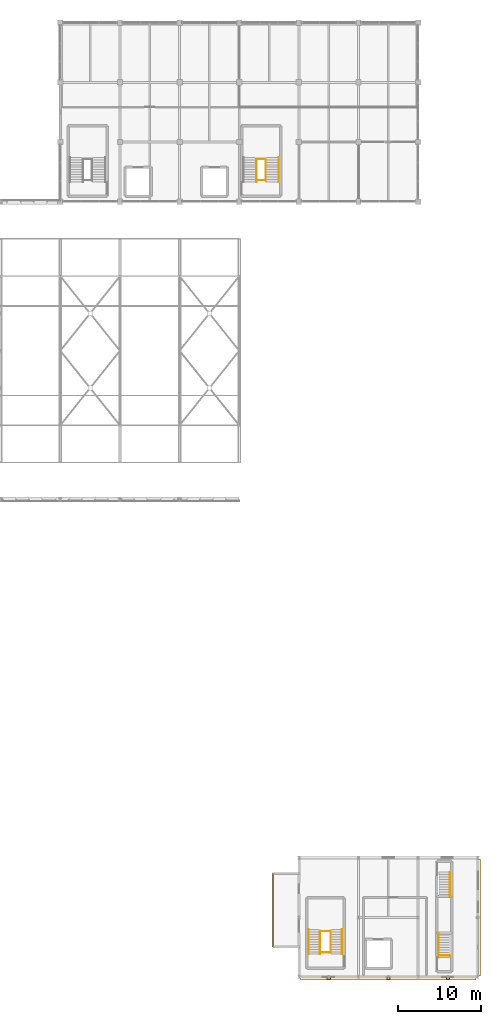
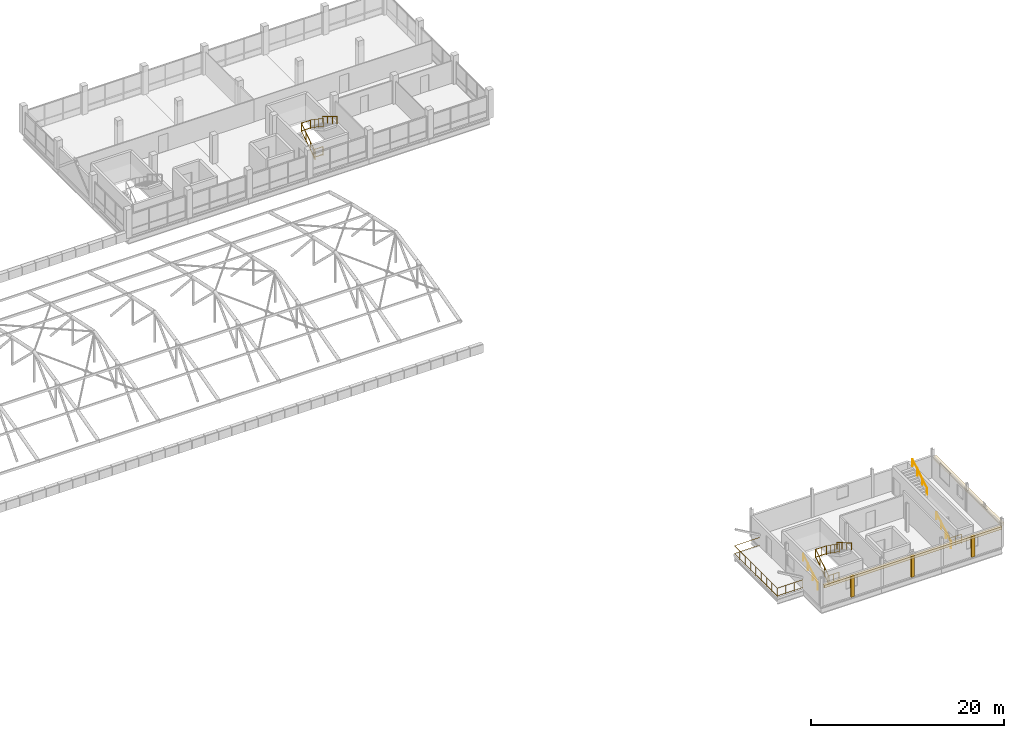
# One storey, part 90 of 96: 15 railings, 5 coverings.
"""IFC4 building model written with IfcOpenShell, lengths in metres."""

import ifcopenshell
import ifcopenshell.guid

model = None  # the IFC model being written
_history = None  # IfcOwnerHistory: only IFC2X3 demands one
_inside = {}  # id of a spatial element -> (the spatial element, [elements in it])
_under = {}  # id of a project, library or spatial element -> (it, [spatial elements below it])
_declared = {}  # id of a project -> (the project, [libraries it declares])
_typed = {}  # id of a type object -> (the type object, [elements of that type])
_made_of = {}  # id of a material, layer set ... -> (it, [elements and type objects made of it])


def new_model(schema):
    """Start an empty IFC model of exactly this schema.

    Asked for "IFC4X3", IfcOpenShell would pick the latest addendum, in which some entities
    have other attributes; the version numbers below select the first issue.
    IFC2X3 requires an IfcOwnerHistory on every rooted entity: one is made here for all.
    """
    global model, _history
    if schema == "IFC4X3":
        model = ifcopenshell.file(schema_version=(4, 3, 0, 0))
    else:
        model = ifcopenshell.file(schema=schema)
    _inside.clear()
    _under.clear()
    _declared.clear()
    _typed.clear()
    _made_of.clear()
    _history = None
    if model.schema == "IFC2X3":
        org = make("IfcOrganization", Name="unknown")
        user = make(
            "IfcPersonAndOrganization",
            ThePerson=make("IfcPerson", FamilyName="unknown"),
            TheOrganization=org,
        )
        app = make(
            "IfcApplication",
            ApplicationDeveloper=org,
            Version="unknown",
            ApplicationFullName="unknown",
            ApplicationIdentifier="unknown",
        )
        _history = make(
            "IfcOwnerHistory",
            OwningUser=user,
            OwningApplication=app,
            ChangeAction="ADDED",
            CreationDate=0,
        )
    return model


def make(cls, **values):
    """One entity of the class cls with the attributes given. An attribute that is None is left unset."""
    return model.create_entity(
        cls, **{name: value for name, value in values.items() if value is not None}
    )


def rooted(cls, **values):
    """An entity with a GlobalId (a new one), such as an element, a storey or a relation."""
    return make(cls, GlobalId=ifcopenshell.guid.new(), OwnerHistory=_history, **values)


def si_unit(unit_type, name, prefix=None):
    """IfcSIUnit, for example si_unit("LENGTHUNIT", "METRE", prefix="MILLI")."""
    return make("IfcSIUnit", UnitType=unit_type, Prefix=prefix, Name=name)


def assignment(units):
    """IfcUnitAssignment: the units of a project."""
    return None if units is None else make("IfcUnitAssignment", Units=units)


def point(xyz):
    """IfcCartesianPoint."""
    return None if xyz is None else make("IfcCartesianPoint", Coordinates=xyz)


def direction(xyz):
    """IfcDirection."""
    return None if xyz is None else make("IfcDirection", DirectionRatios=xyz)


def frame(location, z_axis=None, x_axis=None):
    """IfcAxis2Placement3D, a coordinate frame: its origin and axes. An axis left out is left unset."""
    return make(
        "IfcAxis2Placement3D",
        Location=point(location),
        Axis=direction(z_axis),
        RefDirection=direction(x_axis),
    )


def frame_2d(location, x_axis=None):
    """IfcAxis2Placement2D, a coordinate frame in the plane: its origin and x axis."""
    return make(
        "IfcAxis2Placement2D", Location=point(location), RefDirection=direction(x_axis)
    )


def origin():
    """The frame at (0, 0, 0) with its axes left unset."""
    return frame((0.0, 0.0, 0.0))


def origin_2d():
    """The frame at (0, 0) in the plane with its x axis left unset."""
    return frame_2d((0.0, 0.0))


def place(relative_to, where):
    """IfcLocalPlacement: puts the frame where relative to a parent placement (None: the world)."""
    return make(
        "IfcLocalPlacement", PlacementRelTo=relative_to, RelativePlacement=where
    )


def context(
    kind, dimensions, precision=None, world=None, true_north=None, identifier=None
):
    """IfcGeometricRepresentationContext, for example the 3D "Model" context."""
    return make(
        "IfcGeometricRepresentationContext",
        ContextIdentifier=identifier,
        ContextType=kind,
        CoordinateSpaceDimension=dimensions,
        Precision=precision,
        WorldCoordinateSystem=world,
        TrueNorth=true_north,
    )


def subcontext(parent, identifier, kind, view, scale=None):
    """IfcGeometricRepresentationSubContext, for example "Body" below "Model"."""
    return make(
        "IfcGeometricRepresentationSubContext",
        ContextIdentifier=identifier,
        ContextType=kind,
        ParentContext=parent,
        TargetScale=scale,
        TargetView=view,
    )


def project(units=None, contexts=None):
    """IfcProject with its units and contexts."""
    return rooted(
        "IfcProject",
        Name="project",
        RepresentationContexts=contexts,
        UnitsInContext=assignment(units),
    )


def spatial(cls, under=None, at=None, **own):
    """A site, building, storey or space (cls), placed at a placement, below another one or the project."""
    s = rooted(cls, ObjectPlacement=at, **own)
    if under is not None:
        _under.setdefault(under.id(), (under, []))[1].append(s)
    return s


def profile(cls, at=None, kind="AREA", **sizes):
    """A parametric profile (cls). Its sizes go by their IFC names, for example OverallWidth=200.0."""
    return make(cls, ProfileType=kind, Position=at, **sizes)


def rectangle(**sizes):
    """IfcRectangleProfileDef."""
    return profile("IfcRectangleProfileDef", **sizes)


def circle(**sizes):
    """IfcCircleProfileDef."""
    return profile("IfcCircleProfileDef", **sizes)


def extrude(swept, where, along, depth):
    """IfcExtrudedAreaSolid: the profile swept, set in the frame where, extruded along a direction by depth."""
    return make(
        "IfcExtrudedAreaSolid",
        SweptArea=swept,
        Position=where,
        ExtrudedDirection=direction(along),
        Depth=depth,
    )


def shape(context_of_items, identifier, shape_type, items):
    """IfcShapeRepresentation: the items that make up one representation, for example the "Body"."""
    return make(
        "IfcShapeRepresentation",
        ContextOfItems=context_of_items,
        RepresentationIdentifier=identifier,
        RepresentationType=shape_type,
        Items=items,
    )


def material(Name=None, Category=None):
    """IfcMaterial."""
    return make("IfcMaterial", Name=Name, Category=Category)


def layer(
    of_material, thickness, ventilated=None, Name=None, Category=None, Priority=None
):
    """IfcMaterialLayer: one layer of a wall or slab, of a material (None: an air gap)."""
    return make(
        "IfcMaterialLayer",
        Material=of_material,
        LayerThickness=thickness,
        IsVentilated=ventilated,
        Name=Name,
        Category=Category,
        Priority=Priority,
    )


def layer_set(layers, Name=None):
    """IfcMaterialLayerSet."""
    return make("IfcMaterialLayerSet", MaterialLayers=layers, LayerSetName=Name)


def made_of(thing, what):
    """Note that an element or type object is made of a material, layer set ...; save() writes the relation."""
    if what is not None:
        _made_of.setdefault(what.id(), (what, []))[1].append(thing)
    return thing


def type_object(cls, material=None, **own):
    """A type object (cls), such as IfcWallType, which elements share."""
    return made_of(rooted(cls, **own), material)


def element(
    cls,
    number,
    at=None,
    inside=None,
    cuts=None,
    type_object=None,
    material=None,
    context=None,
    identifier="Body",
    shape_type=None,
    held_by="IfcProductDefinitionShape",
    body=None,
    shapes=None,
    **own,
):
    """One element of the class cls, such as IfcWall. Its Tag is "e" and its number.

    at: its placement. inside: the storey or other place that contains it. cuts: it is an
    opening in that element (IfcRelVoidsElement). A single representation is given by context,
    identifier, shape_type and body (its items); several are given by shapes. held_by: the class
    of the entity that holds the representations. save() writes the other relations.
    """
    e = rooted(cls, Tag="e%d" % number, ObjectPlacement=at, **own)
    if body is not None:
        shapes = [shape(context, identifier, shape_type, body)]
    if shapes is not None:
        e.Representation = make(held_by, Representations=shapes)
    if inside is not None:
        _inside.setdefault(inside.id(), (inside, []))[1].append(e)
    if cuts is not None:
        rooted(
            "IfcRelVoidsElement", RelatingBuildingElement=cuts, RelatedOpeningElement=e
        )
    if type_object is not None:
        _typed.setdefault(type_object.id(), (type_object, []))[1].append(e)
    return made_of(e, material)


def aggregate(whole, parts):
    """IfcRelAggregates: a whole, such as a stair, and the parts it consists of."""
    return rooted("IfcRelAggregates", RelatingObject=whole, RelatedObjects=parts)


def save(model, path):
    """Write the relations noted so far, then the file.

    IfcRelAggregates (storeys below a building ...), IfcRelContainedInSpatialStructure (elements
    in a storey), IfcRelDefinesByType, IfcRelAssociatesMaterial and IfcRelDeclares: one each for
    every whole, place, type object, material and project.
    """
    for whole, parts in _under.values():
        aggregate(whole, parts)
    for where, things in _inside.values():
        rooted(
            "IfcRelContainedInSpatialStructure",
            RelatedElements=things,
            RelatingStructure=where,
        )
    for kind, things in _typed.values():
        rooted("IfcRelDefinesByType", RelatedObjects=things, RelatingType=kind)
    for what, things in _made_of.values():
        rooted("IfcRelAssociatesMaterial", RelatedObjects=things, RelatingMaterial=what)
    for by, libraries in _declared.values():
        rooted("IfcRelDeclares", RelatingContext=by, RelatedDefinitions=libraries)
    model.write(path)


model = new_model("IFC4")

# Units and contexts
model_context = context("Model", 3, precision=1e-05, world=origin(), true_north=direction((0.0, 1.0)))
body_context = subcontext(model_context, "Body", "Model", "MODEL_VIEW")
ifc_project = project(units=[si_unit("LENGTHUNIT", "METRE"), si_unit("AREAUNIT", "SQUARE_METRE"), si_unit("VOLUMEUNIT", "CUBIC_METRE"), si_unit("PLANEANGLEUNIT", "RADIAN"), si_unit("MASSUNIT", "GRAM", prefix="KILO")], contexts=[model_context])

# Site, building, storey
site_placement = place(None, origin())
site = spatial("IfcSite", under=ifc_project, at=site_placement, CompositionType="ELEMENT")
building_placement = place(site_placement, origin())
building = spatial("IfcBuilding", under=site, at=building_placement, Name="Yarey Park Central Fire Station", CompositionType="ELEMENT")
storey_placement = place(building_placement, frame((0.0, 0.0, 14.39990234375)))
storey = spatial("IfcBuildingStorey", under=building, at=storey_placement, Name="L04", CompositionType="ELEMENT", Elevation=14.39990234375)

# Coverings
ifc_material_1 = material(Name="Honed Coral-Limestone Cladding", Category="masonry")
ifc_layer_1 = layer(ifc_material_1, 0.044921875)
ifc_layer_set_1 = layer_set([ifc_layer_1], Name="Honed Coral-Limestone Cladding")
covering_type_1 = type_object("IfcCoveringType", Name="ENV_COV_CLAD_1", PredefinedType="CLADDING", material=ifc_layer_set_1)
covering_1_placement = place(storey_placement, frame((165.780029296875, 7.199951171875, 2.39990234375), z_axis=(0.0, 0.0, 1.0), x_axis=(0.0, 1.0, 0.0)))
element("IfcCovering", 1, at=covering_1_placement, inside=storey, type_object=covering_type_1, Name="FIN_L04_DTE_HOOD", PredefinedType="CLADDING", context=body_context, shape_type="SweptSolid", body=[
    extrude(rectangle(XDim=14.0, YDim=0.360107421875, at=origin_2d()), origin(), (0.0, 0.0, 1.0), 0.340087890625),
])
covering_2_placement = place(storey_placement, frame((154.800048828125, -0.179931640625, 2.39990234375), z_axis=(0.0, 0.0, 1.0), x_axis=(1.0, 0.0, 0.0)))
element("IfcCovering", 2, at=covering_2_placement, inside=storey, type_object=covering_type_1, Name="FIN_L04_DTS_HOOD", PredefinedType="CLADDING", context=body_context, shape_type="SweptSolid", body=[
    extrude(rectangle(XDim=21.199951171875, YDim=0.360107421875, at=origin_2d()), origin(), (0.0, 0.0, 1.0), 0.340087890625),
])
ifc_layer_2 = layer(ifc_material_1, 0.06005859375)
ifc_layer_set_2 = layer_set([ifc_layer_2], Name="Honed Coral-Limestone Cladding")
covering_type_2 = type_object("IfcCoveringType", Name="ENV_COV_CLAD_2", PredefinedType="CLADDING", material=ifc_layer_set_2)
for number, where, z_axis, x_axis, name in (
    (3, (147.60009765625, -0.159912109375, 0.050048828125), (0.0, 0.0, 1.0), (1.0, 0.0, 0.0), "FIN_L04_DTS_PIL_1"),
    (4, (154.800048828125, -0.159912109375, 0.050048828125), (0.0, 0.0, 1.0), (1.0, 0.0, 0.0), "FIN_L04_DTS_PIL_2"),
    (5, (162.0, -0.159912109375, 0.050048828125), (0.0, 0.0, 1.0), (1.0, 0.0, 0.0), "FIN_L04_DTS_PIL_3"),
):
    element("IfcCovering", number, at=place(storey_placement, frame(where, z_axis=z_axis, x_axis=x_axis)), inside=storey, type_object=covering_type_2, Name=name, PredefinedType="CLADDING", context=body_context, shape_type="SweptSolid", body=[
        extrude(rectangle(XDim=0.3798828125, YDim=0.280029296875, at=origin_2d()), origin(), (0.0, 0.0, 1.0), 2.64990234375),
    ])

# Railings
ifc_material_2 = material(Name="Stainless Steel AISI 316L", Category="steel")
railing_type_1 = type_object("IfcRailingType", Name="EXT_RAIL_GUARD112", PredefinedType="BALUSTRADE", material=ifc_material_2)
railing_1_placement = place(storey_placement, frame((143.919921875, 3.679931640625, 0.0)))
element("IfcRailing", 6, at=railing_1_placement, inside=storey, type_object=railing_type_1, Name="GRD_EXT_L04_DT_BALC", PredefinedType="BALUSTRADE", context=body_context, shape_type="SweptSolid", body=[
    extrude(circle(Radius=0.02392578125, at=origin_2d()), frame((0.0, 0.0, 1.09619140625), z_axis=(-1.0, 0.0, 0.0), x_axis=(0.0, -1.0, 0.0)), (0.0, 0.0, 1.0), 3.0400390625),
    extrude(circle(Radius=0.02392578125, at=origin_2d()), frame((0.0, 0.0, 0.1201171875), z_axis=(-1.0, 0.0, 0.0), x_axis=(0.0, -1.0, 0.0)), (0.0, 0.0, 1.0), 3.0400390625),
    extrude(circle(Radius=0.02392578125, at=origin_2d()), frame((-3.0400390625, 0.0, 1.09619140625), z_axis=(0.0, 1.0, 0.0), x_axis=(-1.0, 0.0, 0.0)), (0.0, 0.0, 1.0), 8.840087890625),
    extrude(circle(Radius=0.02392578125, at=origin_2d()), frame((-3.0400390625, 0.0, 0.1201171875), z_axis=(0.0, 1.0, 0.0), x_axis=(-1.0, 0.0, 0.0)), (0.0, 0.0, 1.0), 8.840087890625),
    extrude(circle(Radius=0.02392578125, at=origin_2d()), frame((-3.0400390625, 8.840087890625, 1.09619140625), z_axis=(1.0, 0.0, 0.0), x_axis=(0.0, 1.0, 0.0)), (0.0, 0.0, 1.0), 3.0400390625),
    extrude(circle(Radius=0.02392578125, at=origin_2d()), frame((-3.0400390625, 8.840087890625, 0.1201171875), z_axis=(1.0, 0.0, 0.0), x_axis=(0.0, 1.0, 0.0)), (0.0, 0.0, 1.0), 3.0400390625),
    extrude(circle(Radius=0.02099609375, at=origin_2d()), origin(), (0.0, 0.0, 1.0), 1.072021484375),
    extrude(circle(Radius=0.02099609375, at=origin_2d()), frame((-1.013427734375, 0.0, 0.0)), (0.0, 0.0, 1.0), 1.072021484375),
    extrude(circle(Radius=0.02099609375, at=origin_2d()), frame((-2.026611328125, 0.0, 0.0)), (0.0, 0.0, 1.0), 1.072021484375),
    extrude(circle(Radius=0.02099609375, at=origin_2d()), frame((-3.0400390625, 0.0, 0.0)), (0.0, 0.0, 1.0), 1.072021484375),
    extrude(circle(Radius=0.02099609375, at=origin_2d()), frame((-3.0400390625, 1.10498046875, 0.0)), (0.0, 0.0, 1.0), 1.072021484375),
    extrude(circle(Radius=0.02099609375, at=origin_2d()), frame((-3.0400390625, 2.2099609375, 0.0)), (0.0, 0.0, 1.0), 1.072021484375),
    extrude(circle(Radius=0.02099609375, at=origin_2d()), frame((-3.0400390625, 3.31494140625, 0.0)), (0.0, 0.0, 1.0), 1.072021484375),
    extrude(circle(Radius=0.02099609375, at=origin_2d()), frame((-3.0400390625, 4.419921875, 0.0)), (0.0, 0.0, 1.0), 1.072021484375),
    extrude(circle(Radius=0.02099609375, at=origin_2d()), frame((-3.0400390625, 5.525146484375, 0.0)), (0.0, 0.0, 1.0), 1.072021484375),
    extrude(circle(Radius=0.02099609375, at=origin_2d()), frame((-3.0400390625, 6.630126953125, 0.0)), (0.0, 0.0, 1.0), 1.072021484375),
    extrude(circle(Radius=0.02099609375, at=origin_2d()), frame((-3.0400390625, 7.735107421875, 0.0)), (0.0, 0.0, 1.0), 1.072021484375),
    extrude(circle(Radius=0.02099609375, at=origin_2d()), frame((-3.0400390625, 8.840087890625, 0.0)), (0.0, 0.0, 1.0), 1.072021484375),
    extrude(circle(Radius=0.02099609375, at=origin_2d()), frame((-2.026611328125, 8.840087890625, 0.0)), (0.0, 0.0, 1.0), 1.072021484375),
    extrude(circle(Radius=0.02099609375, at=origin_2d()), frame((-1.013427734375, 8.840087890625, 0.0)), (0.0, 0.0, 1.0), 1.072021484375),
    extrude(circle(Radius=0.02099609375, at=origin_2d()), frame((0.0, 8.840087890625, 0.0)), (0.0, 0.0, 1.0), 1.072021484375),
])
ifc_material_3 = material(Name="Galvanized Steel Balustrade", Category="steel")
railing_type_2 = type_object("IfcRailingType", Name="INT_RAIL_GUARD112", PredefinedType="BALUSTRADE", material=ifc_material_3)
railing_2_placement = place(storey_placement, frame((138.89990234375, 95.949951171875, 0.0)))
element("IfcRailing", 7, at=railing_2_placement, inside=storey, type_object=railing_type_2, Name="GRD_C2_L04_F1", PredefinedType="BALUSTRADE", context=body_context, shape_type="SweptSolid", body=[
    extrude(circle(Radius=0.02392578125, at=origin_2d()), frame((0.0, 0.0, 1.09619140625), z_axis=(0.0, 0.841176092368, 0.540761298198), x_axis=(-1.0, 0.0, 0.0)), (0.0, 0.0, 1.0), 3.32861328125),
    extrude(circle(Radius=0.02392578125, at=origin_2d()), frame((0.0, 0.0, 0.1201171875), z_axis=(0.0, 0.841176092368, 0.540761298198), x_axis=(-1.0, 0.0, 0.0)), (0.0, 0.0, 1.0), 3.32861328125),
    extrude(circle(Radius=0.02099609375, at=origin_2d()), origin(), (0.0, 0.0, 1.0), 1.072021484375),
    extrude(circle(Radius=0.02099609375, at=origin_2d()), frame((0.0, 0.933349609375, 0.60009765625)), (0.0, 0.0, 1.0), 1.072021484375),
    extrude(circle(Radius=0.02099609375, at=origin_2d()), frame((0.0, 1.86669921875, 1.199951171875)), (0.0, 0.0, 1.0), 1.072021484375),
    extrude(circle(Radius=0.02099609375, at=origin_2d()), frame((0.0, 2.800048828125, 1.800048828125)), (0.0, 0.0, 1.0), 1.072021484375),
])
railing_3_placement = place(storey_placement, frame((140.0, 98.75, 1.800048828125)))
element("IfcRailing", 8, at=railing_3_placement, inside=storey, type_object=railing_type_2, Name="GRD_C2_L04_F2", PredefinedType="BALUSTRADE", context=body_context, shape_type="SweptSolid", body=[
    extrude(circle(Radius=0.02392578125, at=origin_2d()), frame((0.0, 0.0, 1.09619140625), z_axis=(0.0, -0.822194970885, 0.56920596435), x_axis=(1.0, 0.0, 0.0)), (0.0, 0.0, 1.0), 3.162353515625),
    extrude(circle(Radius=0.02392578125, at=origin_2d()), frame((0.0, 0.0, 0.1201171875), z_axis=(0.0, -0.822194970885, 0.56920596435), x_axis=(1.0, 0.0, 0.0)), (0.0, 0.0, 1.0), 3.162353515625),
    extrude(circle(Radius=0.02099609375, at=origin_2d()), origin(), (0.0, 0.0, 1.0), 1.072021484375),
    extrude(circle(Radius=0.02099609375, at=origin_2d()), frame((0.0, -0.86669921875, 0.60009765625)), (0.0, 0.0, 1.0), 1.072021484375),
    extrude(circle(Radius=0.02099609375, at=origin_2d()), frame((0.0, -1.7333984375, 1.199951171875)), (0.0, 0.0, 1.0), 1.072021484375),
    extrude(circle(Radius=0.02099609375, at=origin_2d()), frame((0.0, -2.60009765625, 1.800048828125)), (0.0, 0.0, 1.0), 1.072021484375),
])
for number, where, name in (
    (9, (138.89990234375, 98.72998046875, 1.800048828125), "GRD_C2_L04_SLOT_MID"),
    (10, (138.89990234375, 96.179931640625, 0.0), "GRD_C2_L04_SLOT_BOT"),
):
    element("IfcRailing", number, at=place(storey_placement, frame(where)), inside=storey, type_object=railing_type_2, Name=name, PredefinedType="BALUSTRADE", context=body_context, shape_type="SweptSolid", body=[
        extrude(circle(Radius=0.02392578125, at=origin_2d()), frame((0.0, 0.0, 1.09619140625), z_axis=(1.0, 0.0, 0.0), x_axis=(0.0, 1.0, 0.0)), (0.0, 0.0, 1.0), 1.10009765625),
        extrude(circle(Radius=0.02392578125, at=origin_2d()), frame((0.0, 0.0, 0.1201171875), z_axis=(1.0, 0.0, 0.0), x_axis=(0.0, 1.0, 0.0)), (0.0, 0.0, 1.0), 1.10009765625),
        extrude(circle(Radius=0.02099609375, at=origin_2d()), origin(), (0.0, 0.0, 1.0), 1.072021484375),
        extrude(circle(Radius=0.02099609375, at=origin_2d()), frame((1.10009765625, 0.0, 0.0)), (0.0, 0.0, 1.0), 1.072021484375),
    ])
railing_4_placement = place(storey_placement, frame((146.550048828125, 2.75, 0.0)))
element("IfcRailing", 11, at=railing_4_placement, inside=storey, type_object=railing_type_2, Name="GRD_C5_L04_F1", PredefinedType="BALUSTRADE", context=body_context, shape_type="SweptSolid", body=[
    extrude(circle(Radius=0.02392578125, at=origin_2d()), frame((0.0, 0.0, 1.09619140625), z_axis=(0.0, 0.841176092368, 0.540761298198), x_axis=(-1.0, 0.0, 0.0)), (0.0, 0.0, 1.0), 3.32861328125),
    extrude(circle(Radius=0.02392578125, at=origin_2d()), frame((0.0, 0.0, 0.1201171875), z_axis=(0.0, 0.841176092368, 0.540761298198), x_axis=(-1.0, 0.0, 0.0)), (0.0, 0.0, 1.0), 3.32861328125),
    extrude(circle(Radius=0.02099609375, at=origin_2d()), origin(), (0.0, 0.0, 1.0), 1.072021484375),
    extrude(circle(Radius=0.02099609375, at=origin_2d()), frame((0.0, 0.933349609375, 0.60009765625)), (0.0, 0.0, 1.0), 1.072021484375),
    extrude(circle(Radius=0.02099609375, at=origin_2d()), frame((0.0, 1.86669921875, 1.199951171875)), (0.0, 0.0, 1.0), 1.072021484375),
    extrude(circle(Radius=0.02099609375, at=origin_2d()), frame((0.0, 2.800048828125, 1.800048828125)), (0.0, 0.0, 1.0), 1.072021484375),
])
railing_5_placement = place(storey_placement, frame((147.85009765625, 5.550048828125, 1.800048828125)))
element("IfcRailing", 12, at=railing_5_placement, inside=storey, type_object=railing_type_2, Name="GRD_C5_L04_F2", PredefinedType="BALUSTRADE", context=body_context, shape_type="SweptSolid", body=[
    extrude(circle(Radius=0.02392578125, at=origin_2d()), frame((0.0, 0.0, 1.09619140625), z_axis=(0.0, -0.822194970885, 0.56920596435), x_axis=(1.0, 0.0, 0.0)), (0.0, 0.0, 1.0), 3.162353515625),
    extrude(circle(Radius=0.02392578125, at=origin_2d()), frame((0.0, 0.0, 0.1201171875), z_axis=(0.0, -0.822194970885, 0.56920596435), x_axis=(1.0, 0.0, 0.0)), (0.0, 0.0, 1.0), 3.162353515625),
    extrude(circle(Radius=0.02099609375, at=origin_2d()), origin(), (0.0, 0.0, 1.0), 1.072021484375),
    extrude(circle(Radius=0.02099609375, at=origin_2d()), frame((0.0, -0.86669921875, 0.60009765625)), (0.0, 0.0, 1.0), 1.072021484375),
    extrude(circle(Radius=0.02099609375, at=origin_2d()), frame((0.0, -1.7333984375, 1.199951171875)), (0.0, 0.0, 1.0), 1.072021484375),
    extrude(circle(Radius=0.02099609375, at=origin_2d()), frame((0.0, -2.60009765625, 1.800048828125)), (0.0, 0.0, 1.0), 1.072021484375),
])
for number, where, name in (
    (13, (146.550048828125, 5.530029296875, 1.800048828125), "GRD_C5_L04_SLOT_MID"),
    (14, (146.550048828125, 2.97998046875, 0.0), "GRD_C5_L04_SLOT_BOT"),
):
    element("IfcRailing", number, at=place(storey_placement, frame(where)), inside=storey, type_object=railing_type_2, Name=name, PredefinedType="BALUSTRADE", context=body_context, shape_type="SweptSolid", body=[
        extrude(circle(Radius=0.02392578125, at=origin_2d()), frame((0.0, 0.0, 1.09619140625), z_axis=(1.0, 0.0, 0.0), x_axis=(0.0, 1.0, 0.0)), (0.0, 0.0, 1.0), 1.300048828125),
        extrude(circle(Radius=0.02392578125, at=origin_2d()), frame((0.0, 0.0, 0.1201171875), z_axis=(1.0, 0.0, 0.0), x_axis=(0.0, 1.0, 0.0)), (0.0, 0.0, 1.0), 1.300048828125),
        extrude(circle(Radius=0.02099609375, at=origin_2d()), origin(), (0.0, 0.0, 1.0), 1.072021484375),
        extrude(circle(Radius=0.02099609375, at=origin_2d()), frame((0.64990234375, 0.0, 0.0)), (0.0, 0.0, 1.0), 1.072021484375),
        extrude(circle(Radius=0.02099609375, at=origin_2d()), frame((1.300048828125, 0.0, 0.0)), (0.0, 0.0, 1.0), 1.072021484375),
    ])
railing_6_placement = place(storey_placement, frame((160.85009765625, 2.580078125, 0.0)))
element("IfcRailing", 15, at=railing_6_placement, inside=storey, type_object=railing_type_2, Name="GRD_C6_L04_SOUTH_EDGE", PredefinedType="BALUSTRADE", context=body_context, shape_type="SweptSolid", body=[
    extrude(circle(Radius=0.02392578125, at=origin_2d()), frame((0.0, 0.0, 1.09619140625), z_axis=(1.0, 0.0, 0.0), x_axis=(0.0, 1.0, 0.0)), (0.0, 0.0, 1.0), 1.39990234375),
    extrude(circle(Radius=0.02392578125, at=origin_2d()), frame((0.0, 0.0, 0.1201171875), z_axis=(1.0, 0.0, 0.0), x_axis=(0.0, 1.0, 0.0)), (0.0, 0.0, 1.0), 1.39990234375),
    extrude(circle(Radius=0.02099609375, at=origin_2d()), origin(), (0.0, 0.0, 1.0), 1.072021484375),
    extrude(circle(Radius=0.02099609375, at=origin_2d()), frame((0.699951171875, 0.0, 0.0)), (0.0, 0.0, 1.0), 1.072021484375),
    extrude(circle(Radius=0.02099609375, at=origin_2d()), frame((1.39990234375, 0.0, 0.0)), (0.0, 0.0, 1.0), 1.072021484375),
])
railing_type_3 = type_object("IfcRailingType", Name="INT_RAIL_HAND090", PredefinedType="HANDRAIL", material=ifc_material_2)
railing_7_placement = place(storey_placement, frame((141.570068359375, 98.949951171875, 1.800048828125)))
element("IfcRailing", 16, at=railing_7_placement, inside=storey, type_object=railing_type_3, Name="HR_C2_L04_F2", PredefinedType="HANDRAIL", context=body_context, shape_type="SweptSolid", body=[
    extrude(circle(Radius=0.02392578125, at=origin_2d()), frame((0.0, 0.0, 0.8759765625), z_axis=(0.0, -0.857486768376, 0.514506017516), x_axis=(1.0, 0.0, 0.0)), (0.0, 0.0, 1.0), 3.49853515625),
    extrude(circle(Radius=0.02099609375, at=origin_2d()), origin(), (0.0, 0.0, 1.0), 0.851806640625),
    extrude(circle(Radius=0.02099609375, at=origin_2d()), frame((0.0, -1.0, 0.60009765625)), (0.0, 0.0, 1.0), 0.851806640625),
    extrude(circle(Radius=0.02099609375, at=origin_2d()), frame((0.0, -2.0, 1.199951171875)), (0.0, 0.0, 1.0), 0.851806640625),
    extrude(circle(Radius=0.02099609375, at=origin_2d()), frame((0.0, -3.0, 1.800048828125)), (0.0, 0.0, 1.0), 0.851806640625),
])
railing_8_placement = place(storey_placement, frame((145.179931640625, 2.75, 0.0)))
element("IfcRailing", 17, at=railing_8_placement, inside=storey, type_object=railing_type_3, Name="HR_C5_L04_F1", PredefinedType="HANDRAIL", context=body_context, shape_type="SweptSolid", body=[
    extrude(circle(Radius=0.02392578125, at=origin_2d()), frame((0.0, 0.0, 0.8759765625), z_axis=(0.0, 0.857486768376, 0.514506017516), x_axis=(-1.0, 0.0, 0.0)), (0.0, 0.0, 1.0), 3.49853515625),
    extrude(circle(Radius=0.02099609375, at=origin_2d()), origin(), (0.0, 0.0, 1.0), 0.851806640625),
    extrude(circle(Radius=0.02099609375, at=origin_2d()), frame((0.0, 1.0, 0.60009765625)), (0.0, 0.0, 1.0), 0.851806640625),
    extrude(circle(Radius=0.02099609375, at=origin_2d()), frame((0.0, 2.0, 1.199951171875)), (0.0, 0.0, 1.0), 0.851806640625),
    extrude(circle(Radius=0.02099609375, at=origin_2d()), frame((0.0, 3.0, 1.800048828125)), (0.0, 0.0, 1.0), 0.851806640625),
])
railing_9_placement = place(storey_placement, frame((149.219970703125, 5.75, 1.800048828125)))
element("IfcRailing", 18, at=railing_9_placement, inside=storey, type_object=railing_type_3, Name="HR_C5_L04_F2", PredefinedType="HANDRAIL", context=body_context, shape_type="SweptSolid", body=[
    extrude(circle(Radius=0.02392578125, at=origin_2d()), frame((0.0, 0.0, 0.8759765625), z_axis=(0.0, -0.857486768376, 0.514506017516), x_axis=(1.0, 0.0, 0.0)), (0.0, 0.0, 1.0), 3.49853515625),
    extrude(circle(Radius=0.02099609375, at=origin_2d()), origin(), (0.0, 0.0, 1.0), 0.851806640625),
    extrude(circle(Radius=0.02099609375, at=origin_2d()), frame((0.0, -1.0, 0.60009765625)), (0.0, 0.0, 1.0), 0.851806640625),
    extrude(circle(Radius=0.02099609375, at=origin_2d()), frame((0.0, -2.0, 1.199951171875)), (0.0, 0.0, 1.0), 0.851806640625),
    extrude(circle(Radius=0.02099609375, at=origin_2d()), frame((0.0, -3.0, 1.800048828125)), (0.0, 0.0, 1.0), 0.851806640625),
])
for number, where, name in (
    (19, (160.860107421875, 2.35009765625, 0.0), "HR_C6_L04_L"),
    (20, (162.239990234375, 9.64990234375, 1.800048828125), "HR_C6_L04_R"),
):
    element("IfcRailing", number, at=place(storey_placement, frame(where)), inside=storey, type_object=railing_type_3, Name=name, PredefinedType="HANDRAIL", context=body_context, shape_type="SweptSolid", body=[
        extrude(circle(Radius=0.02392578125, at=origin_2d()), frame((0.0, 0.0, 0.8759765625), z_axis=(0.0, 0.857486768376, 0.514506017516), x_axis=(-1.0, 0.0, 0.0)), (0.0, 0.0, 1.0), 3.49853515625),
        extrude(circle(Radius=0.02099609375, at=origin_2d()), origin(), (0.0, 0.0, 1.0), 0.851806640625),
        extrude(circle(Radius=0.02099609375, at=origin_2d()), frame((0.0, 1.0, 0.60009765625)), (0.0, 0.0, 1.0), 0.851806640625),
        extrude(circle(Radius=0.02099609375, at=origin_2d()), frame((0.0, 2.0, 1.199951171875)), (0.0, 0.0, 1.0), 0.851806640625),
        extrude(circle(Radius=0.02099609375, at=origin_2d()), frame((0.0, 3.0, 1.800048828125)), (0.0, 0.0, 1.0), 0.851806640625),
    ])

save(model, "model.ifc")
